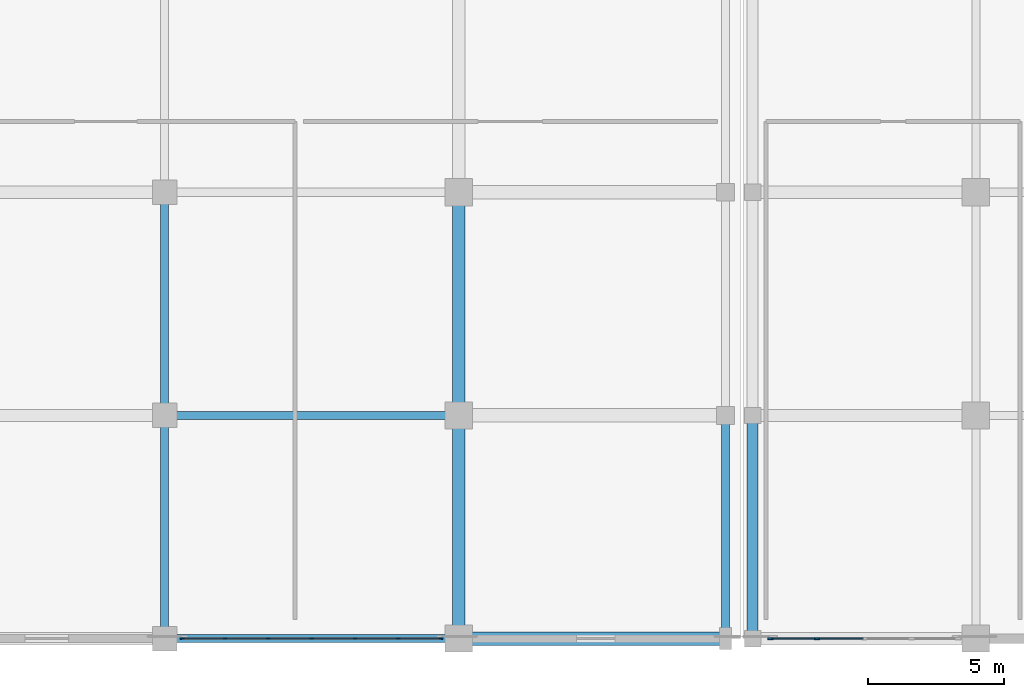
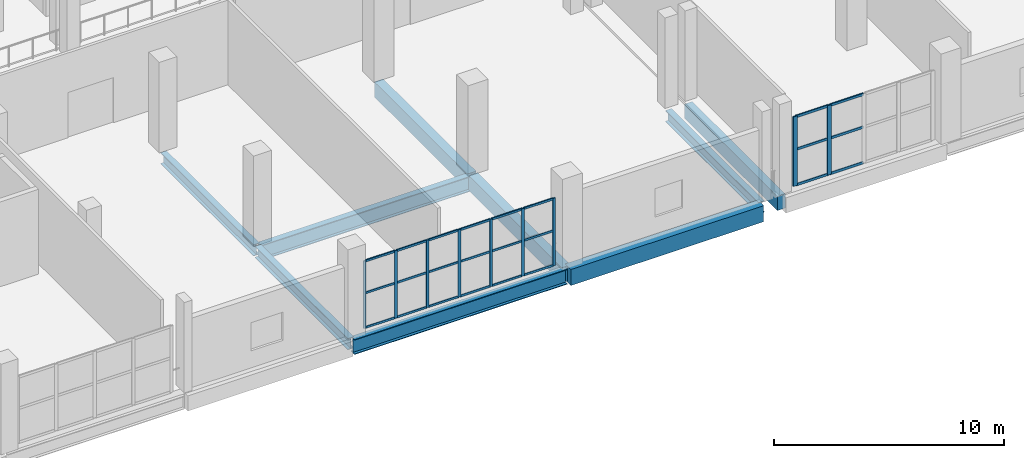
# One storey, part 36 of 129: 33 members, 9 beams, 2 elements without a shape of their own.
"""IFC4 building model written with IfcOpenShell, lengths in metres."""

from ifc_helpers import new_model, si_unit, direction, frame, origin, origin_2d, place, context, subcontext, project, spatial, rectangle, i_section, extrude, material, material_profile, profile_set, type_object, element, aggregate, save


model = new_model("IFC4")

# Units and contexts
model_context = context("Model", 3, precision=1e-05, world=origin(), true_north=direction((0.0, 1.0)))
body_context = subcontext(model_context, "Body", "Model", "MODEL_VIEW")
ifc_project = project(units=[si_unit("LENGTHUNIT", "METRE"), si_unit("AREAUNIT", "SQUARE_METRE"), si_unit("VOLUMEUNIT", "CUBIC_METRE"), si_unit("PLANEANGLEUNIT", "RADIAN"), si_unit("MASSUNIT", "GRAM", prefix="KILO")], contexts=[model_context])

# Site, building, storey
site_placement = place(None, origin())
site = spatial("IfcSite", under=ifc_project, at=site_placement, CompositionType="ELEMENT")
building_placement = place(site_placement, origin())
building = spatial("IfcBuilding", under=site, at=building_placement, Name="Koshinbarg Plaza Stadium", CompositionType="ELEMENT")
storey_placement = place(building_placement, frame((0.0, 0.0, 5.39990234375)))
storey = spatial("IfcBuildingStorey", under=building, at=storey_placement, Name="L01", CompositionType="ELEMENT", Elevation=5.39990234375)

# Beams
ifc_material_1 = material(Name="Concrete C40/50", Category="concrete")
ifc_material_profile_1 = material_profile(ifc_material_1, rectangle(XDim=0.39990234375, YDim=0.75, at=origin_2d()), Name="RC 400x750")
ifc_profile_set_1 = profile_set([ifc_material_profile_1], Name="Concrete C40/50")
beam_type_1 = type_object("IfcBeamType", Name="BM-RCG-03", PredefinedType="USERDEFINED", material=ifc_profile_set_1)
beam_1_placement = place(storey_placement, frame((219.39990234375, 0.06005859375, -0.69482421875), z_axis=(0.0, 1.0, 0.0), x_axis=(-1.0, 0.0, 0.0)))
element("IfcBeam", 1, at=beam_1_placement, inside=storey, type_object=beam_type_1, Name="L01 Y girder 22/A-B", ObjectType="GIRDER", PredefinedType="USERDEFINED", context=body_context, shape_type="SweptSolid", body=[
    extrude(rectangle(XDim=0.39990234375, YDim=0.75, at=origin_2d()), origin(), (0.0, 0.0, 1.0), 8.079833984375),
])
ifc_material_profile_2 = material_profile(ifc_material_1, rectangle(XDim=0.449951171875, YDim=0.800048828125, at=origin_2d()), Name="RC 450x800")
ifc_profile_set_2 = profile_set([ifc_material_profile_2], Name="Concrete C40/50")
beam_type_2 = type_object("IfcBeamType", Name="BM-RCG-04", PredefinedType="USERDEFINED", material=ifc_profile_set_2)
beam_2_placement = place(storey_placement, frame((208.60009765625, 0.06005859375, -0.719970703125), z_axis=(0.0, 1.0, 0.0), x_axis=(-1.0, 0.0, 0.0)))
element("IfcBeam", 2, at=beam_2_placement, inside=storey, type_object=beam_type_2, Name="L01 Y girder 20/A-B", ObjectType="GIRDER", PredefinedType="USERDEFINED", context=body_context, shape_type="SweptSolid", body=[
    extrude(rectangle(XDim=0.449951171875, YDim=0.800048828125, at=origin_2d()), origin(), (0.0, 0.0, 1.0), 8.079833984375),
])
beam_3_placement = place(storey_placement, frame((208.60009765625, 8.260009765625, -0.719970703125), z_axis=(0.0, 1.0, 0.0), x_axis=(-1.0, 0.0, 0.0)))
element("IfcBeam", 3, at=beam_3_placement, inside=storey, type_object=beam_type_2, Name="L01 Y girder 20/B-C", ObjectType="GIRDER", PredefinedType="USERDEFINED", context=body_context, shape_type="SweptSolid", body=[
    extrude(rectangle(XDim=0.449951171875, YDim=0.800048828125, at=origin_2d()), origin(), (0.0, 0.0, 1.0), 8.080078125),
])
ifc_material_profile_3 = material_profile(ifc_material_1, rectangle(XDim=0.5, YDim=0.85009765625, at=origin_2d()), Name="RC 500x850")
ifc_profile_set_3 = profile_set([ifc_material_profile_3], Name="Concrete C40/50")
beam_type_3 = type_object("IfcBeamType", Name="BM-RCG-05", PredefinedType="USERDEFINED", material=ifc_profile_set_3)
beam_4_placement = place(storey_placement, frame((208.659912109375, 0.0, -0.744873046875), z_axis=(1.0, 0.0, 0.0), x_axis=(0.0, 1.0, 0.0)))
element("IfcBeam", 4, at=beam_4_placement, inside=storey, type_object=beam_type_3, Name="L01 X girder A/20-21", ObjectType="GIRDER", PredefinedType="USERDEFINED", context=body_context, shape_type="SweptSolid", body=[
    extrude(rectangle(XDim=0.5, YDim=0.85009765625, at=origin_2d()), origin(), (0.0, 0.0, 1.0), 9.68017578125),
])
ifc_material_2 = material(Name="Steel S355", Category="steel")
ifc_material_profile_4 = material_profile(ifc_material_2, i_section(OverallWidth=0.300048828125, OverallDepth=0.60009765625, WebThickness=0.015380859375, FlangeThickness=0.030029296875, at=origin_2d()), Name="HEB 600")
ifc_profile_set_4 = profile_set([ifc_material_profile_4], Name="Steel S355")
beam_type_4 = type_object("IfcBeamType", Name="BM-SGIR-02", PredefinedType="USERDEFINED", material=ifc_profile_set_4)
beam_5_placement = place(storey_placement, frame((197.800048828125, 0.06005859375, -0.619873046875), z_axis=(0.0, 1.0, 0.0), x_axis=(-1.0, 0.0, 0.0)))
element("IfcBeam", 5, at=beam_5_placement, inside=storey, type_object=beam_type_4, Name="L01 Y girder 19/A-B", ObjectType="GIRDER", PredefinedType="USERDEFINED", context=body_context, shape_type="SweptSolid", body=[
    extrude(i_section(OverallWidth=0.300048828125, OverallDepth=0.60009765625, WebThickness=0.015380859375, FlangeThickness=0.030029296875, at=origin_2d()), origin(), (0.0, 0.0, 1.0), 8.079833984375),
])
beam_6_placement = place(storey_placement, frame((197.800048828125, 8.260009765625, -0.619873046875), z_axis=(0.0, 1.0, 0.0), x_axis=(-1.0, 0.0, 0.0)))
element("IfcBeam", 6, at=beam_6_placement, inside=storey, type_object=beam_type_4, Name="L01 Y girder 19/B-C", ObjectType="GIRDER", PredefinedType="USERDEFINED", context=body_context, shape_type="SweptSolid", body=[
    extrude(i_section(OverallWidth=0.300048828125, OverallDepth=0.60009765625, WebThickness=0.015380859375, FlangeThickness=0.030029296875, at=origin_2d()), origin(), (0.0, 0.0, 1.0), 8.080078125),
])
beam_7_placement = place(storey_placement, frame((218.39990234375, 0.06005859375, -0.619873046875), z_axis=(0.0, 1.0, 0.0), x_axis=(-1.0, 0.0, 0.0)))
element("IfcBeam", 7, at=beam_7_placement, inside=storey, type_object=beam_type_4, Name="L01 Y girder 21/A-B", ObjectType="GIRDER", PredefinedType="USERDEFINED", context=body_context, shape_type="SweptSolid", body=[
    extrude(i_section(OverallWidth=0.300048828125, OverallDepth=0.60009765625, WebThickness=0.015380859375, FlangeThickness=0.030029296875, at=origin_2d()), origin(), (0.0, 0.0, 1.0), 8.079833984375),
])
ifc_material_profile_5 = material_profile(ifc_material_2, i_section(OverallWidth=0.300048828125, OverallDepth=0.800048828125, WebThickness=0.017578125, FlangeThickness=0.032958984375, at=origin_2d()), Name="HEB 800")
ifc_profile_set_5 = profile_set([ifc_material_profile_5], Name="Steel S355")
beam_type_5 = type_object("IfcBeamType", Name="BM-SGIR-04", PredefinedType="USERDEFINED", material=ifc_profile_set_5)
for number, where, z_axis, x_axis, name in (
    (8, (197.860107421875, 0.0, -0.719970703125), (1.0, 0.0, 0.0), (0.0, 1.0, 0.0), "L01 X girder A/19-20"),
    (9, (197.860107421875, 8.199951171875, -0.719970703125), (1.0, 0.0, 0.0), (0.0, 1.0, 0.0), "L01 X girder B/19-20"),
):
    element("IfcBeam", number, at=place(storey_placement, frame(where, z_axis=z_axis, x_axis=x_axis)), inside=storey, type_object=beam_type_5, Name=name, ObjectType="GIRDER", PredefinedType="USERDEFINED", context=body_context, shape_type="SweptSolid", body=[
        extrude(i_section(OverallWidth=0.300048828125, OverallDepth=0.800048828125, WebThickness=0.017578125, FlangeThickness=0.032958984375, at=origin_2d()), origin(), (0.0, 0.0, 1.0), 10.679931640625),
    ])

# Curtain wall, members
ifc_material_3 = material(Name="Thermally broken anodised aluminium and low-E double glazing", Category="aluminium")
curtain_wall_type_1 = type_object("IfcCurtainWallType", Name="CW-SYS-13", PredefinedType="NOTDEFINED", material=ifc_material_3)
curtain_wall_1_placement = place(storey_placement, origin())
curtain_wall_1 = element("IfcCurtainWall", 10, at=curtain_wall_1_placement, inside=storey, type_object=curtain_wall_type_1, Name="L01 unitised curtain wall CW-L01-028", PredefinedType="NOTDEFINED")
ifc_material_4 = material(Name="Anodised aluminium mullion", Category="aluminium")
ifc_material_profile_6 = material_profile(ifc_material_4, rectangle(XDim=0.06005859375, YDim=0.139892578125, at=origin_2d()), Name="ALU 60x140")
ifc_profile_set_6 = profile_set([ifc_material_profile_6], Name="Anodised aluminium mullion")
member_type_1 = type_object("IfcMemberType", Name="CW-MUL-01", PredefinedType="MULLION", material=ifc_profile_set_6)
member_1_placement = place(storey_placement, frame((207.949951171875, 0.0, 0.0), z_axis=(0.0, 0.0, 1.0), x_axis=(0.0, -1.0, 0.0)))
member_1 = element("IfcMember", 11, at=member_1_placement, type_object=member_type_1, Name="CW13 mullion 1", PredefinedType="MULLION", context=body_context, shape_type="SweptSolid", body=[
    extrude(rectangle(XDim=0.06005859375, YDim=0.139892578125, at=origin_2d()), origin(), (0.0, 0.0, 1.0), 3.580078125),
])
member_2_placement = place(storey_placement, frame((206.38671875, 0.0, 0.0), z_axis=(0.0, 0.0, 1.0), x_axis=(0.0, -1.0, 0.0)))
member_2 = element("IfcMember", 12, at=member_2_placement, type_object=member_type_1, Name="CW13 mullion 2", PredefinedType="MULLION", context=body_context, shape_type="SweptSolid", body=[
    extrude(rectangle(XDim=0.06005859375, YDim=0.139892578125, at=origin_2d()), origin(), (0.0, 0.0, 1.0), 3.580078125),
])
member_3_placement = place(storey_placement, frame((204.793212890625, 0.0, 0.0), z_axis=(0.0, 0.0, 1.0), x_axis=(0.0, -1.0, 0.0)))
member_3 = element("IfcMember", 13, at=member_3_placement, type_object=member_type_1, Name="CW13 mullion 3", PredefinedType="MULLION", context=body_context, shape_type="SweptSolid", body=[
    extrude(rectangle(XDim=0.06005859375, YDim=0.139892578125, at=origin_2d()), origin(), (0.0, 0.0, 1.0), 3.580078125),
])
member_4_placement = place(storey_placement, frame((203.199951171875, 0.0, 0.0), z_axis=(0.0, 0.0, 1.0), x_axis=(0.0, -1.0, 0.0)))
member_4 = element("IfcMember", 14, at=member_4_placement, type_object=member_type_1, Name="CW13 mullion 4", PredefinedType="MULLION", context=body_context, shape_type="SweptSolid", body=[
    extrude(rectangle(XDim=0.06005859375, YDim=0.139892578125, at=origin_2d()), origin(), (0.0, 0.0, 1.0), 3.580078125),
])
member_5_placement = place(storey_placement, frame((201.606689453125, 0.0, 0.0), z_axis=(0.0, 0.0, 1.0), x_axis=(0.0, -1.0, 0.0)))
member_5 = element("IfcMember", 15, at=member_5_placement, type_object=member_type_1, Name="CW13 mullion 5", PredefinedType="MULLION", context=body_context, shape_type="SweptSolid", body=[
    extrude(rectangle(XDim=0.06005859375, YDim=0.139892578125, at=origin_2d()), origin(), (0.0, 0.0, 1.0), 3.580078125),
])
member_6_placement = place(storey_placement, frame((200.013427734375, 0.0, 0.0), z_axis=(0.0, 0.0, 1.0), x_axis=(0.0, -1.0, 0.0)))
member_6 = element("IfcMember", 16, at=member_6_placement, type_object=member_type_1, Name="CW13 mullion 6", PredefinedType="MULLION", context=body_context, shape_type="SweptSolid", body=[
    extrude(rectangle(XDim=0.06005859375, YDim=0.139892578125, at=origin_2d()), origin(), (0.0, 0.0, 1.0), 3.580078125),
])
member_7_placement = place(storey_placement, frame((198.449951171875, 0.0, 0.0), z_axis=(0.0, 0.0, 1.0), x_axis=(0.0, -1.0, 0.0)))
member_7 = element("IfcMember", 17, at=member_7_placement, type_object=member_type_1, Name="CW13 mullion 7", PredefinedType="MULLION", context=body_context, shape_type="SweptSolid", body=[
    extrude(rectangle(XDim=0.06005859375, YDim=0.139892578125, at=origin_2d()), origin(), (0.0, 0.0, 1.0), 3.580078125),
])

curtain_wall_type_2 = type_object("IfcCurtainWallType", Name="CW-SYS-12", PredefinedType="NOTDEFINED", material=ifc_material_3)
curtain_wall_2_placement = place(storey_placement, origin())
curtain_wall_2 = element("IfcCurtainWall", 18, at=curtain_wall_2_placement, inside=storey, type_object=curtain_wall_type_2, Name="L01 unitised curtain wall CW-L01-027", PredefinedType="NOTDEFINED")
ifc_material_profile_7 = material_profile(ifc_material_4, rectangle(XDim=0.070068359375, YDim=0.199951171875, at=origin_2d()), Name="ALU 70x200")
ifc_profile_set_7 = profile_set([ifc_material_profile_7], Name="Anodised aluminium mullion")
member_type_2 = type_object("IfcMemberType", Name="CW-MUL-04", PredefinedType="MULLION", material=ifc_profile_set_7)
member_8_placement = place(storey_placement, frame((221.760009765625, 0.0, 0.0), z_axis=(0.0, 0.0, 1.0), x_axis=(0.0, -1.0, 0.0)))
member_8 = element("IfcMember", 19, at=member_8_placement, type_object=member_type_2, Name="CW12 mullion 4", PredefinedType="MULLION", context=body_context, shape_type="SweptSolid", body=[
    extrude(rectangle(XDim=0.070068359375, YDim=0.199951171875, at=origin_2d()), origin(), (0.0, 0.0, 1.0), 3.68017578125),
])
member_9_placement = place(storey_placement, frame((220.050048828125, 0.0, 0.0), z_axis=(0.0, 0.0, 1.0), x_axis=(0.0, -1.0, 0.0)))
member_9 = element("IfcMember", 20, at=member_9_placement, type_object=member_type_2, Name="CW12 mullion 5", PredefinedType="MULLION", context=body_context, shape_type="SweptSolid", body=[
    extrude(rectangle(XDim=0.070068359375, YDim=0.199951171875, at=origin_2d()), origin(), (0.0, 0.0, 1.0), 3.68017578125),
])

# Member
ifc_material_5 = material(Name="Anodised aluminium transom", Category="aluminium")
ifc_material_profile_8 = material_profile(ifc_material_5, rectangle(XDim=0.06005859375, YDim=0.110107421875, at=origin_2d()), Name="ALU 60x110")
ifc_profile_set_8 = profile_set([ifc_material_profile_8], Name="Anodised aluminium transom")
member_type_3 = type_object("IfcMemberType", Name="CW-TRN-01", PredefinedType="USERDEFINED", material=ifc_profile_set_8)
member_10_placement = place(storey_placement, frame((207.919921875, 0.0, 0.030029296875), z_axis=(-1.0, 0.0, 0.0), x_axis=(0.0, -1.0, 0.0)))
member_10 = element("IfcMember", 21, at=member_10_placement, type_object=member_type_3, Name="CW13 transom 1.1", ObjectType="TRANSOM", PredefinedType="USERDEFINED", context=body_context, shape_type="SweptSolid", body=[
    extrude(rectangle(XDim=0.06005859375, YDim=0.110107421875, at=origin_2d()), origin(), (0.0, 0.0, 1.0), 1.503173828125),
])

member_11_placement = place(storey_placement, frame((207.919921875, 0.0, 1.86181640625), z_axis=(-1.0, 0.0, 0.0), x_axis=(0.0, -1.0, 0.0)))
member_11 = element("IfcMember", 22, at=member_11_placement, type_object=member_type_3, Name="CW13 transom 1.2", ObjectType="TRANSOM", PredefinedType="USERDEFINED", context=body_context, shape_type="SweptSolid", body=[
    extrude(rectangle(XDim=0.06005859375, YDim=0.110107421875, at=origin_2d()), origin(), (0.0, 0.0, 1.0), 1.503173828125),
])

member_12_placement = place(storey_placement, frame((207.919921875, 0.0, 3.550048828125), z_axis=(-1.0, 0.0, 0.0), x_axis=(0.0, -1.0, 0.0)))
member_12 = element("IfcMember", 23, at=member_12_placement, type_object=member_type_3, Name="CW13 transom 1.3", ObjectType="TRANSOM", PredefinedType="USERDEFINED", context=body_context, shape_type="SweptSolid", body=[
    extrude(rectangle(XDim=0.06005859375, YDim=0.110107421875, at=origin_2d()), origin(), (0.0, 0.0, 1.0), 1.503173828125),
])

member_13_placement = place(storey_placement, frame((206.356689453125, 0.0, 0.030029296875), z_axis=(-1.0, 0.0, 0.0), x_axis=(0.0, -1.0, 0.0)))
member_13 = element("IfcMember", 24, at=member_13_placement, type_object=member_type_3, Name="CW13 transom 2.1", ObjectType="TRANSOM", PredefinedType="USERDEFINED", context=body_context, shape_type="SweptSolid", body=[
    extrude(rectangle(XDim=0.06005859375, YDim=0.110107421875, at=origin_2d()), origin(), (0.0, 0.0, 1.0), 1.533447265625),
])

member_14_placement = place(storey_placement, frame((206.356689453125, 0.0, 1.86181640625), z_axis=(-1.0, 0.0, 0.0), x_axis=(0.0, -1.0, 0.0)))
member_14 = element("IfcMember", 25, at=member_14_placement, type_object=member_type_3, Name="CW13 transom 2.2", ObjectType="TRANSOM", PredefinedType="USERDEFINED", context=body_context, shape_type="SweptSolid", body=[
    extrude(rectangle(XDim=0.06005859375, YDim=0.110107421875, at=origin_2d()), origin(), (0.0, 0.0, 1.0), 1.533447265625),
])

member_15_placement = place(storey_placement, frame((206.356689453125, 0.0, 3.550048828125), z_axis=(-1.0, 0.0, 0.0), x_axis=(0.0, -1.0, 0.0)))
member_15 = element("IfcMember", 26, at=member_15_placement, type_object=member_type_3, Name="CW13 transom 2.3", ObjectType="TRANSOM", PredefinedType="USERDEFINED", context=body_context, shape_type="SweptSolid", body=[
    extrude(rectangle(XDim=0.06005859375, YDim=0.110107421875, at=origin_2d()), origin(), (0.0, 0.0, 1.0), 1.533447265625),
])

member_16_placement = place(storey_placement, frame((204.763427734375, 0.0, 0.030029296875), z_axis=(-1.0, 0.0, 0.0), x_axis=(0.0, -1.0, 0.0)))
member_16 = element("IfcMember", 27, at=member_16_placement, type_object=member_type_3, Name="CW13 transom 3.1", ObjectType="TRANSOM", PredefinedType="USERDEFINED", context=body_context, shape_type="SweptSolid", body=[
    extrude(rectangle(XDim=0.06005859375, YDim=0.110107421875, at=origin_2d()), origin(), (0.0, 0.0, 1.0), 1.533447265625),
])

member_17_placement = place(storey_placement, frame((204.763427734375, 0.0, 1.86181640625), z_axis=(-1.0, 0.0, 0.0), x_axis=(0.0, -1.0, 0.0)))
member_17 = element("IfcMember", 28, at=member_17_placement, type_object=member_type_3, Name="CW13 transom 3.2", ObjectType="TRANSOM", PredefinedType="USERDEFINED", context=body_context, shape_type="SweptSolid", body=[
    extrude(rectangle(XDim=0.06005859375, YDim=0.110107421875, at=origin_2d()), origin(), (0.0, 0.0, 1.0), 1.533447265625),
])

member_18_placement = place(storey_placement, frame((204.763427734375, 0.0, 3.550048828125), z_axis=(-1.0, 0.0, 0.0), x_axis=(0.0, -1.0, 0.0)))
member_18 = element("IfcMember", 29, at=member_18_placement, type_object=member_type_3, Name="CW13 transom 3.3", ObjectType="TRANSOM", PredefinedType="USERDEFINED", context=body_context, shape_type="SweptSolid", body=[
    extrude(rectangle(XDim=0.06005859375, YDim=0.110107421875, at=origin_2d()), origin(), (0.0, 0.0, 1.0), 1.533447265625),
])

member_19_placement = place(storey_placement, frame((203.169921875, 0.0, 0.030029296875), z_axis=(-1.0, 0.0, 0.0), x_axis=(0.0, -1.0, 0.0)))
member_19 = element("IfcMember", 30, at=member_19_placement, type_object=member_type_3, Name="CW13 transom 4.1", ObjectType="TRANSOM", PredefinedType="USERDEFINED", context=body_context, shape_type="SweptSolid", body=[
    extrude(rectangle(XDim=0.06005859375, YDim=0.110107421875, at=origin_2d()), origin(), (0.0, 0.0, 1.0), 1.533203125),
])

member_20_placement = place(storey_placement, frame((203.169921875, 0.0, 1.86181640625), z_axis=(-1.0, 0.0, 0.0), x_axis=(0.0, -1.0, 0.0)))
member_20 = element("IfcMember", 31, at=member_20_placement, type_object=member_type_3, Name="CW13 transom 4.2", ObjectType="TRANSOM", PredefinedType="USERDEFINED", context=body_context, shape_type="SweptSolid", body=[
    extrude(rectangle(XDim=0.06005859375, YDim=0.110107421875, at=origin_2d()), origin(), (0.0, 0.0, 1.0), 1.533203125),
])

member_21_placement = place(storey_placement, frame((203.169921875, 0.0, 3.550048828125), z_axis=(-1.0, 0.0, 0.0), x_axis=(0.0, -1.0, 0.0)))
member_21 = element("IfcMember", 32, at=member_21_placement, type_object=member_type_3, Name="CW13 transom 4.3", ObjectType="TRANSOM", PredefinedType="USERDEFINED", context=body_context, shape_type="SweptSolid", body=[
    extrude(rectangle(XDim=0.06005859375, YDim=0.110107421875, at=origin_2d()), origin(), (0.0, 0.0, 1.0), 1.533203125),
])

member_22_placement = place(storey_placement, frame((201.57666015625, 0.0, 0.030029296875), z_axis=(-1.0, 0.0, 0.0), x_axis=(0.0, -1.0, 0.0)))
member_22 = element("IfcMember", 33, at=member_22_placement, type_object=member_type_3, Name="CW13 transom 5.1", ObjectType="TRANSOM", PredefinedType="USERDEFINED", context=body_context, shape_type="SweptSolid", body=[
    extrude(rectangle(XDim=0.06005859375, YDim=0.110107421875, at=origin_2d()), origin(), (0.0, 0.0, 1.0), 1.533447265625),
])

member_23_placement = place(storey_placement, frame((201.57666015625, 0.0, 1.86181640625), z_axis=(-1.0, 0.0, 0.0), x_axis=(0.0, -1.0, 0.0)))
member_23 = element("IfcMember", 34, at=member_23_placement, type_object=member_type_3, Name="CW13 transom 5.2", ObjectType="TRANSOM", PredefinedType="USERDEFINED", context=body_context, shape_type="SweptSolid", body=[
    extrude(rectangle(XDim=0.06005859375, YDim=0.110107421875, at=origin_2d()), origin(), (0.0, 0.0, 1.0), 1.533447265625),
])

member_24_placement = place(storey_placement, frame((201.57666015625, 0.0, 3.550048828125), z_axis=(-1.0, 0.0, 0.0), x_axis=(0.0, -1.0, 0.0)))
member_24 = element("IfcMember", 35, at=member_24_placement, type_object=member_type_3, Name="CW13 transom 5.3", ObjectType="TRANSOM", PredefinedType="USERDEFINED", context=body_context, shape_type="SweptSolid", body=[
    extrude(rectangle(XDim=0.06005859375, YDim=0.110107421875, at=origin_2d()), origin(), (0.0, 0.0, 1.0), 1.533447265625),
])

member_25_placement = place(storey_placement, frame((199.9833984375, 0.0, 0.030029296875), z_axis=(-1.0, 0.0, 0.0), x_axis=(0.0, -1.0, 0.0)))
member_25 = element("IfcMember", 36, at=member_25_placement, type_object=member_type_3, Name="CW13 transom 6.1", ObjectType="TRANSOM", PredefinedType="USERDEFINED", context=body_context, shape_type="SweptSolid", body=[
    extrude(rectangle(XDim=0.06005859375, YDim=0.110107421875, at=origin_2d()), origin(), (0.0, 0.0, 1.0), 1.50341796875),
])

member_26_placement = place(storey_placement, frame((199.9833984375, 0.0, 1.86181640625), z_axis=(-1.0, 0.0, 0.0), x_axis=(0.0, -1.0, 0.0)))
member_26 = element("IfcMember", 37, at=member_26_placement, type_object=member_type_3, Name="CW13 transom 6.2", ObjectType="TRANSOM", PredefinedType="USERDEFINED", context=body_context, shape_type="SweptSolid", body=[
    extrude(rectangle(XDim=0.06005859375, YDim=0.110107421875, at=origin_2d()), origin(), (0.0, 0.0, 1.0), 1.50341796875),
])

member_27_placement = place(storey_placement, frame((199.9833984375, 0.0, 3.550048828125), z_axis=(-1.0, 0.0, 0.0), x_axis=(0.0, -1.0, 0.0)))
member_27 = element("IfcMember", 38, at=member_27_placement, type_object=member_type_3, Name="CW13 transom 6.3", ObjectType="TRANSOM", PredefinedType="USERDEFINED", context=body_context, shape_type="SweptSolid", body=[
    extrude(rectangle(XDim=0.06005859375, YDim=0.110107421875, at=origin_2d()), origin(), (0.0, 0.0, 1.0), 1.50341796875),
])

aggregate(curtain_wall_1, [member_1, member_2, member_3, member_4, member_5, member_6, member_7, member_10, member_11, member_12, member_13, member_14, member_15, member_16, member_17, member_18, member_19, member_20, member_21, member_22, member_23, member_24, member_25, member_26, member_27])

ifc_material_profile_9 = material_profile(ifc_material_5, rectangle(XDim=0.06005859375, YDim=0.1298828125, at=origin_2d()), Name="ALU 60x130")
ifc_profile_set_9 = profile_set([ifc_material_profile_9], Name="Anodised aluminium transom")
member_type_4 = type_object("IfcMemberType", Name="CW-TRN-02", PredefinedType="USERDEFINED", material=ifc_profile_set_9)
member_28_placement = place(storey_placement, frame((223.469970703125, 0.0, 0.030029296875), z_axis=(-1.0, 0.0, 0.0), x_axis=(0.0, -1.0, 0.0)))
member_28 = element("IfcMember", 39, at=member_28_placement, type_object=member_type_4, Name="CW12 transom 3.1", ObjectType="TRANSOM", PredefinedType="USERDEFINED", context=body_context, shape_type="SweptSolid", body=[
    extrude(rectangle(XDim=0.06005859375, YDim=0.1298828125, at=origin_2d()), origin(), (0.0, 0.0, 1.0), 1.679931640625),
])

member_29_placement = place(storey_placement, frame((223.469970703125, 0.0, 1.913818359375), z_axis=(-1.0, 0.0, 0.0), x_axis=(0.0, -1.0, 0.0)))
member_29 = element("IfcMember", 40, at=member_29_placement, type_object=member_type_4, Name="CW12 transom 3.2", ObjectType="TRANSOM", PredefinedType="USERDEFINED", context=body_context, shape_type="SweptSolid", body=[
    extrude(rectangle(XDim=0.06005859375, YDim=0.1298828125, at=origin_2d()), origin(), (0.0, 0.0, 1.0), 1.679931640625),
])

member_30_placement = place(storey_placement, frame((223.469970703125, 0.0, 3.650146484375), z_axis=(-1.0, 0.0, 0.0), x_axis=(0.0, -1.0, 0.0)))
member_30 = element("IfcMember", 41, at=member_30_placement, type_object=member_type_4, Name="CW12 transom 3.3", ObjectType="TRANSOM", PredefinedType="USERDEFINED", context=body_context, shape_type="SweptSolid", body=[
    extrude(rectangle(XDim=0.06005859375, YDim=0.1298828125, at=origin_2d()), origin(), (0.0, 0.0, 1.0), 1.679931640625),
])

member_31_placement = place(storey_placement, frame((221.72998046875, 0.0, 0.030029296875), z_axis=(-1.0, 0.0, 0.0), x_axis=(0.0, -1.0, 0.0)))
member_31 = element("IfcMember", 42, at=member_31_placement, type_object=member_type_4, Name="CW12 transom 4.1", ObjectType="TRANSOM", PredefinedType="USERDEFINED", context=body_context, shape_type="SweptSolid", body=[
    extrude(rectangle(XDim=0.06005859375, YDim=0.1298828125, at=origin_2d()), origin(), (0.0, 0.0, 1.0), 1.64990234375),
])

member_32_placement = place(storey_placement, frame((221.72998046875, 0.0, 1.913818359375), z_axis=(-1.0, 0.0, 0.0), x_axis=(0.0, -1.0, 0.0)))
member_32 = element("IfcMember", 43, at=member_32_placement, type_object=member_type_4, Name="CW12 transom 4.2", ObjectType="TRANSOM", PredefinedType="USERDEFINED", context=body_context, shape_type="SweptSolid", body=[
    extrude(rectangle(XDim=0.06005859375, YDim=0.1298828125, at=origin_2d()), origin(), (0.0, 0.0, 1.0), 1.64990234375),
])

member_33_placement = place(storey_placement, frame((221.72998046875, 0.0, 3.650146484375), z_axis=(-1.0, 0.0, 0.0), x_axis=(0.0, -1.0, 0.0)))
member_33 = element("IfcMember", 44, at=member_33_placement, type_object=member_type_4, Name="CW12 transom 4.3", ObjectType="TRANSOM", PredefinedType="USERDEFINED", context=body_context, shape_type="SweptSolid", body=[
    extrude(rectangle(XDim=0.06005859375, YDim=0.1298828125, at=origin_2d()), origin(), (0.0, 0.0, 1.0), 1.64990234375),
])

aggregate(curtain_wall_2, [member_8, member_9, member_28, member_29, member_30, member_31, member_32, member_33])

save(model, "model.ifc")
